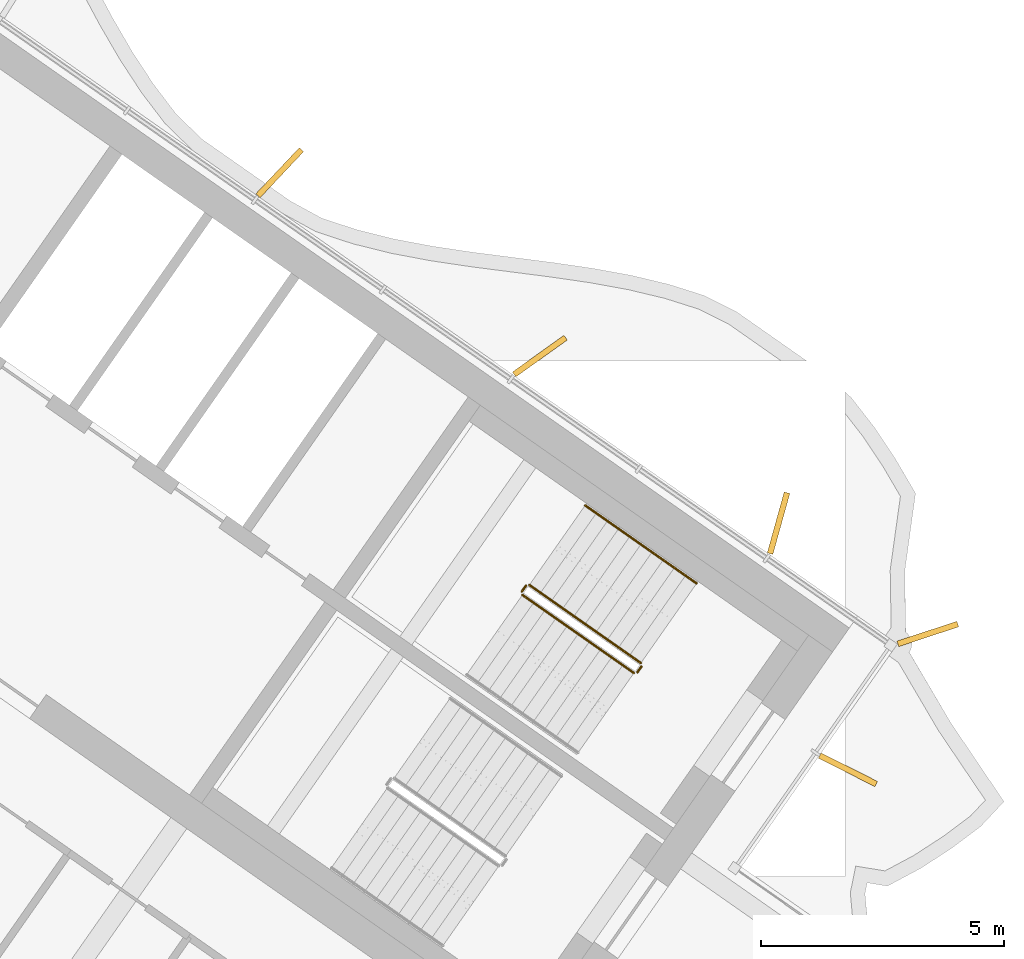
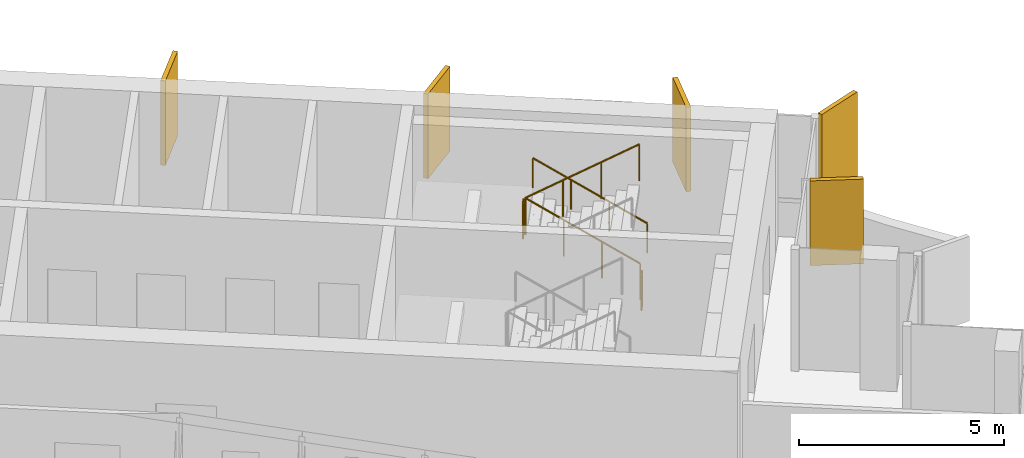
# One storey, part 16 of 17: 5 railings, 5 shading devices.
"""IFC4 building model written with IfcOpenShell, lengths in metres."""

from ifc_helpers import new_model, si_unit, direction, frame, origin, origin_2d, place, context, subcontext, project, spatial, rectangle, circle, extrude, material, layer, layer_set, type_object, element, save


model = new_model("IFC4")

# Units and contexts
model_context = context("Model", 3, precision=1e-05, world=origin(), true_north=direction((0.0, 1.0)))
body_context = subcontext(model_context, "Body", "Model", "MODEL_VIEW")
ifc_project = project(units=[si_unit("LENGTHUNIT", "METRE"), si_unit("AREAUNIT", "SQUARE_METRE"), si_unit("VOLUMEUNIT", "CUBIC_METRE"), si_unit("PLANEANGLEUNIT", "RADIAN"), si_unit("MASSUNIT", "GRAM", prefix="KILO")], contexts=[model_context])

# Site, building, storey
site_placement = place(None, origin())
site = spatial("IfcSite", under=ifc_project, at=site_placement, CompositionType="ELEMENT")
building_placement = place(site_placement, origin())
building = spatial("IfcBuilding", under=site, at=building_placement, Name="Tel Ilan Convention Tower", CompositionType="ELEMENT")
storey_placement = place(building_placement, frame((0.0, 0.0, 276.10009765625)))
storey = spatial("IfcBuildingStorey", under=building, at=storey_placement, Name="L65", CompositionType="ELEMENT", Elevation=276.10009765625)

# Shading devices
ifc_material_1 = material(Name="Aluminium, bronze anodised", Category="aluminium")
ifc_layer = layer(ifc_material_1, 0.1201171875)
ifc_layer_set = layer_set([ifc_layer], Name="FIN BRONZE 1300x120")
shading_device_type = type_object("IfcShadingDeviceType", Name="FIN BRONZE 1300x120", PredefinedType="USERDEFINED", material=ifc_layer_set)
for number, where, z_axis, x_axis, name in (
    (1, (27.9404296875, -10.049072265625, 1.099853515625), (0.0, 0.0, 1.0), (0.893632640321, -0.448799180206, 0.0), "FIN"),
    (2, (29.583984375, -7.253173828125, 1.099853515625), (0.0, 0.0, 1.0), (0.949242643575, 0.314544756146, 0.0), "FIN"),
    (3, (26.51171875, -4.9736328125, 1.099853515625), (0.0, 0.0, 1.0), (0.268172612768, 0.963370878614, 0.0), "FIN"),
    (4, (21.600830078125, -1.534912109375, 1.099853515625), (0.0, 0.0, 1.0), (0.813552070258, 0.581492071294, 0.0), "FIN"),
    (5, (16.24658203125, 2.2373046875, 1.099853515625), (0.0, 0.0, 1.0), (0.686241637865, 0.727373641577, 0.0), "FIN"),
):
    element("IfcShadingDevice", number, at=place(storey_placement, frame(where, z_axis=z_axis, x_axis=x_axis)), inside=storey, type_object=shading_device_type, Name=name, ObjectType="FIN", PredefinedType="USERDEFINED", context=body_context, shape_type="SweptSolid", body=[
        extrude(rectangle(XDim=1.300048828125, YDim=0.1201171875, at=origin_2d()), origin(), (0.0, 0.0, 1.0), 2.52001953125),
    ])

# Railings
ifc_material_2 = material(Name="Stainless Steel Grade 316", Category="steel")
railing_type_1 = type_object("IfcRailingType", Name="Stainless Steel Stair Guard 1100 mm", PredefinedType="GUARDRAIL", material=ifc_material_2)
railing_1_placement = place(storey_placement, frame((23.6787109375, -7.8515625, 0.17724609375)))
element("IfcRailing", 6, at=railing_1_placement, inside=storey, type_object=railing_type_1, Name="L65 S3 stair guard 1", PredefinedType="GUARDRAIL", context=body_context, shape_type="SweptSolid", body=[
    extrude(circle(Radius=0.02392578125, at=origin_2d()), frame((0.0, 0.0, 1.076171875), z_axis=(-0.692084706163, 0.484621375041, 0.534940073605), x_axis=(-0.573591086599, -0.819141785879, 0.0)), (0.0, 0.0, 1.0), 3.313720703125),
    extrude(circle(Radius=0.02099609375, at=origin_2d()), origin(), (0.0, 0.0, 1.0), 1.052001953125),
    extrude(circle(Radius=0.02099609375, at=origin_2d()), frame((-0.764404296875, 0.535400390625, 0.5908203125)), (0.0, 0.0, 1.0), 1.052001953125),
    extrude(circle(Radius=0.02099609375, at=origin_2d()), frame((-1.529052734375, 1.070556640625, 1.181884765625)), (0.0, 0.0, 1.0), 1.052001953125),
    extrude(circle(Radius=0.02099609375, at=origin_2d()), frame((-2.29345703125, 1.60595703125, 1.772705078125)), (0.0, 0.0, 1.0), 1.052001953125),
])
railing_2_placement = place(storey_placement, frame((21.3154296875, -6.2578125, 1.949951171875)))
element("IfcRailing", 7, at=railing_2_placement, inside=storey, type_object=railing_type_1, Name="L65 S3 stair guard 2", PredefinedType="GUARDRAIL", context=body_context, shape_type="SweptSolid", body=[
    extrude(circle(Radius=0.02392578125, at=origin_2d()), frame((0.0, 0.0, 1.076171875), z_axis=(-0.573353020881, -0.819308436089, 0.0), x_axis=(0.819308436089, -0.573353020881, 0.0)), (0.0, 0.0, 1.0), 0.14990234375),
    extrude(circle(Radius=0.02099609375, at=origin_2d()), origin(), (0.0, 0.0, 1.0), 1.052001953125),
    extrude(circle(Radius=0.02099609375, at=origin_2d()), frame((-0.0859375, -0.122802734375, 0.0)), (0.0, 0.0, 1.0), 1.052001953125),
])
railing_3_placement = place(storey_placement, frame((21.24169921875, -6.4501953125, 2.127197265625)))
element("IfcRailing", 8, at=railing_3_placement, inside=storey, type_object=railing_type_1, Name="L65 S3 stair guard 3", PredefinedType="GUARDRAIL", context=body_context, shape_type="SweptSolid", body=[
    extrude(circle(Radius=0.02392578125, at=origin_2d()), frame((0.0, 0.0, 1.076171875), z_axis=(0.692098378994, -0.484653031975, 0.534893701956), x_axis=(0.573608623498, 0.819129505664, 0.0)), (0.0, 0.0, 1.0), 3.314208984375),
    extrude(circle(Radius=0.02099609375, at=origin_2d()), origin(), (0.0, 0.0, 1.0), 1.052001953125),
    extrude(circle(Radius=0.02099609375, at=origin_2d()), frame((0.7646484375, -0.535400390625, 0.5908203125)), (0.0, 0.0, 1.0), 1.052001953125),
    extrude(circle(Radius=0.02099609375, at=origin_2d()), frame((1.529052734375, -1.07080078125, 1.181884765625)), (0.0, 0.0, 1.0), 1.052001953125),
    extrude(circle(Radius=0.02099609375, at=origin_2d()), frame((2.293701171875, -1.606201171875, 1.772705078125)), (0.0, 0.0, 1.0), 1.052001953125),
])
railing_4_placement = place(storey_placement, frame((23.691162109375, -7.921142578125, 0.0)))
element("IfcRailing", 9, at=railing_4_placement, inside=storey, type_object=railing_type_1, Name="L65 S3 stair guard 4", PredefinedType="GUARDRAIL", context=body_context, shape_type="SweptSolid", body=[
    extrude(circle(Radius=0.02392578125, at=origin_2d()), frame((0.0, 0.0, 1.076171875), z_axis=(-0.574444878118, -0.818543268254, 0.0), x_axis=(0.818543268254, -0.574444878118, 0.0)), (0.0, 0.0, 1.0), 0.150146484375),
    extrude(circle(Radius=0.02099609375, at=origin_2d()), origin(), (0.0, 0.0, 1.0), 1.052001953125),
    extrude(circle(Radius=0.02099609375, at=origin_2d()), frame((-0.086181640625, -0.122802734375, 0.0)), (0.0, 0.0, 1.0), 1.052001953125),
])
ifc_material_3 = material(Name="Stainless Steel Grade 316", Category="steel")
railing_type_2 = type_object("IfcRailingType", Name="Stainless Steel Stair Handrail 900 mm", PredefinedType="HANDRAIL", material=ifc_material_3)
railing_5_placement = place(storey_placement, frame((24.825927734375, -6.213134765625, 0.17724609375)))
element("IfcRailing", 10, at=railing_5_placement, inside=storey, type_object=railing_type_2, Name="L65 S3 stair handrail 1", PredefinedType="HANDRAIL", context=body_context, shape_type="SweptSolid", body=[
    extrude(circle(Radius=0.02392578125, at=origin_2d()), frame((0.0, 0.0, 0.8759765625), z_axis=(-0.692123088272, 0.484596665743, 0.534912798717), x_axis=(-0.573550118428, -0.819170471667, 0.0)), (0.0, 0.0, 1.0), 3.31396484375),
    extrude(circle(Radius=0.02099609375, at=origin_2d()), origin(), (0.0, 0.0, 1.0), 0.851806640625),
    extrude(circle(Radius=0.02099609375, at=origin_2d()), frame((-0.7646484375, 0.535400390625, 0.5908203125)), (0.0, 0.0, 1.0), 0.851806640625),
    extrude(circle(Radius=0.02099609375, at=origin_2d()), frame((-1.529052734375, 1.070556640625, 1.181884765625)), (0.0, 0.0, 1.0), 0.851806640625),
    extrude(circle(Radius=0.02099609375, at=origin_2d()), frame((-2.293701171875, 1.60595703125, 1.772705078125)), (0.0, 0.0, 1.0), 0.851806640625),
])

save(model, "model.ifc")
